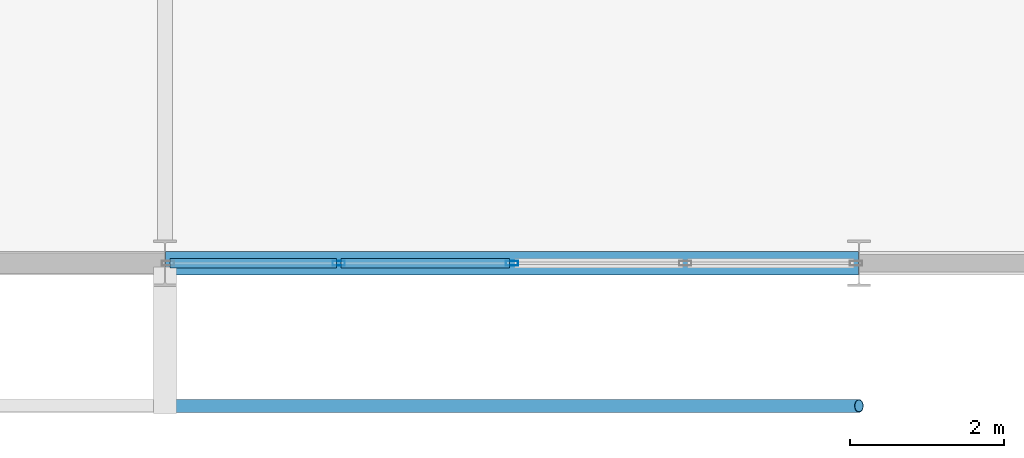
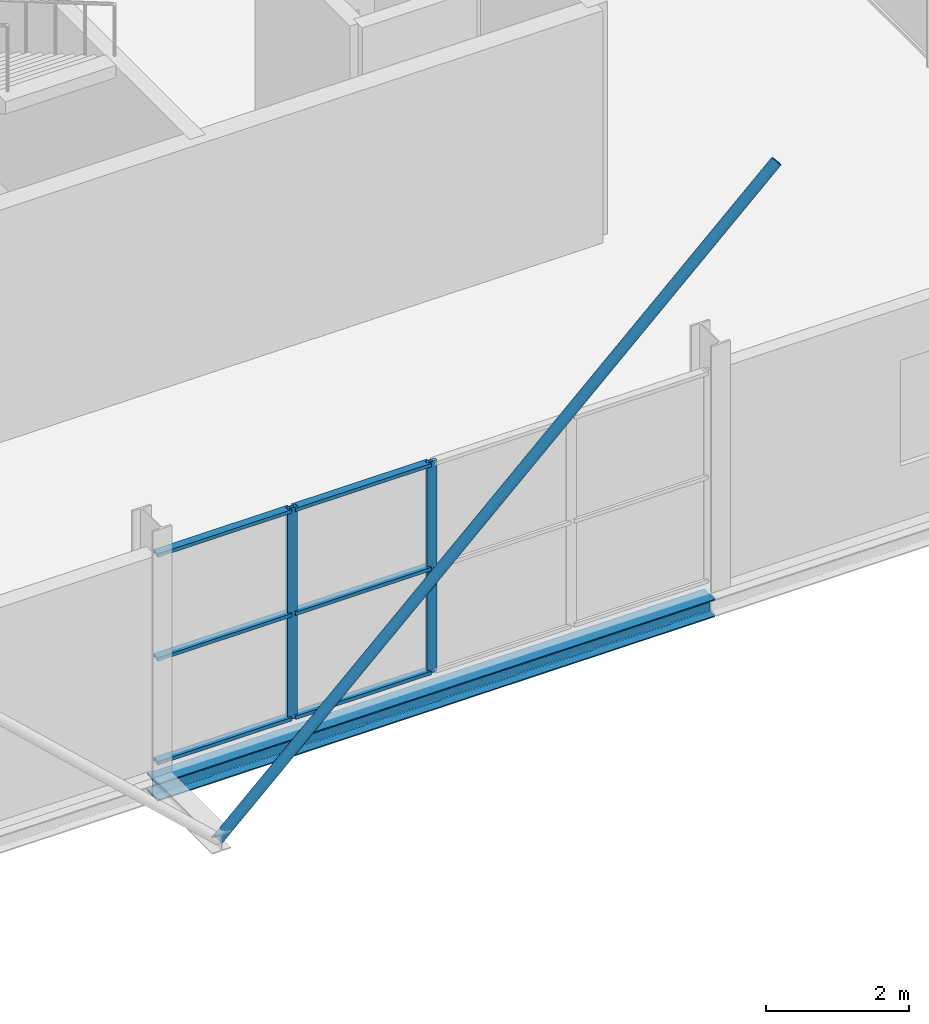
# One storey, part 30 of 59: 9 members, 1 beam, 1 element without a shape of its own.
"""IFC4 building model written with IfcOpenShell, lengths in metres."""

from ifc_helpers import new_model, si_unit, direction, frame, origin, origin_2d, place, context, subcontext, project, spatial, hollow_rectangle, hollow_circle, i_section, extrude, material, layer, layer_set, material_profile, profile_set, type_object, element, aggregate, save


model = new_model("IFC4")

# Units and contexts
model_context = context("Model", 3, precision=1e-05, world=origin(), true_north=direction((0.0, 1.0)))
body_context = subcontext(model_context, "Body", "Model", "MODEL_VIEW")
ifc_project = project(units=[si_unit("LENGTHUNIT", "METRE"), si_unit("AREAUNIT", "SQUARE_METRE"), si_unit("VOLUMEUNIT", "CUBIC_METRE"), si_unit("PLANEANGLEUNIT", "RADIAN"), si_unit("MASSUNIT", "GRAM", prefix="KILO")], contexts=[model_context])

# Site, building, storey
site_placement = place(None, origin())
site = spatial("IfcSite", under=ifc_project, at=site_placement, CompositionType="ELEMENT")
building_placement = place(site_placement, origin())
building = spatial("IfcBuilding", under=site, at=building_placement, Name="Deido Ridge Mobility Hub", CompositionType="ELEMENT")
storey_placement = place(building_placement, frame((0.0, 0.0, 21.0)))
storey = spatial("IfcBuildingStorey", under=building, at=storey_placement, Name="L05", CompositionType="ELEMENT", Elevation=21.0)

# Curtain wall, members
ifc_material_1 = material(Name="Anodised aluminium EN AW-6063 T6", Category="aluminium")
ifc_layer = layer(ifc_material_1, 0.195068359375, Name="Anodised aluminium EN AW-6063 T6")
ifc_layer_set = layer_set([ifc_layer], Name="Anodised aluminium EN AW-6063 T6")
curtain_wall_type = type_object("IfcCurtainWallType", Name="CW-UF-3", PredefinedType="USERDEFINED", material=ifc_layer_set)
curtain_wall_placement = place(storey_placement, origin())
curtain_wall = element("IfcCurtainWall", 1, at=curtain_wall_placement, inside=storey, type_object=curtain_wall_type, Name="Unitised curtain wall CW3", ObjectType="UNITISED FACADE", PredefinedType="USERDEFINED")
ifc_material_profile_1 = material_profile(ifc_material_1, hollow_rectangle(XDim=0.06005859375, YDim=0.159912109375, WallThickness=0.00390625, at=origin_2d()), Name="RHS 60x160x4")
ifc_profile_set_1 = profile_set([ifc_material_profile_1], Name="Anodised aluminium EN AW-6063 T6")
member_type_1 = type_object("IfcMemberType", Name="MEM-MUL-60X160", PredefinedType="MULLION", material=ifc_profile_set_1)
member_1_placement = place(storey_placement, frame((164.25390625, 0.0, 0.0), z_axis=(0.0, 0.0, 1.0), x_axis=(0.0, 1.0, 0.0)))
member_1 = element("IfcMember", 2, at=member_1_placement, type_object=member_type_1, Name="CW3 mullion 2", PredefinedType="MULLION", context=body_context, shape_type="SweptSolid", body=[
    extrude(hollow_rectangle(XDim=0.06005859375, YDim=0.159912109375, WallThickness=0.00390625, at=origin_2d()), origin(), (0.0, 0.0, 1.0), 3.60009765625),
])
member_2_placement = place(storey_placement, frame((166.5, 0.0, 0.0), z_axis=(0.0, 0.0, 1.0), x_axis=(0.0, 1.0, 0.0)))
member_2 = element("IfcMember", 3, at=member_2_placement, type_object=member_type_1, Name="CW3 mullion 3", PredefinedType="MULLION", context=body_context, shape_type="SweptSolid", body=[
    extrude(hollow_rectangle(XDim=0.06005859375, YDim=0.159912109375, WallThickness=0.00390625, at=origin_2d()), origin(), (0.0, 0.0, 1.0), 3.60009765625),
])

# Member
ifc_material_2 = material(Name="Steel S355J2H EN 10210-1", Category="steel")
ifc_material_profile_2 = material_profile(ifc_material_2, hollow_circle(Radius=0.084228515625, WallThickness=0.008056640625, at=origin_2d()), Name="CHS 168.3x8")
ifc_profile_set_2 = profile_set([ifc_material_profile_2], Name="Steel S355J2H EN 10210-1")
member_type_2 = type_object("IfcMemberType", Name="MEM-STR-CHS168", PredefinedType="STRUT", material=ifc_profile_set_2)
member_3_placement = place(storey_placement, frame((162.0, -1.85009765625, -0.14990234375), z_axis=(0.73105922506, 0.0, 0.682314010889), x_axis=(0.0, 1.0, 0.0)))
element("IfcMember", 4, at=member_3_placement, inside=storey, type_object=member_type_2, Name="Deconstructivist facade diagrid strut SR1", PredefinedType="STRUT", context=body_context, shape_type="SweptSolid", body=[
    extrude(hollow_circle(Radius=0.084228515625, WallThickness=0.008056640625, at=origin_2d()), origin(), (0.0, 0.0, 1.0), 12.310791015625),
])

ifc_material_profile_3 = material_profile(ifc_material_1, hollow_rectangle(XDim=0.125, YDim=0.06005859375, WallThickness=0.00390625, at=origin_2d()), Name="RHS 125x60x4")
ifc_profile_set_3 = profile_set([ifc_material_profile_3], Name="Anodised aluminium EN AW-6063 T6")
member_type_3 = type_object("IfcMemberType", Name="MEM-TRN-125X60", PredefinedType="USERDEFINED", material=ifc_profile_set_3)
member_4_placement = place(storey_placement, frame((162.067626953125, 0.0, 0.030029296875), z_axis=(1.0, 0.0, 0.0), x_axis=(0.0, 1.0, 0.0)))
member_4 = element("IfcMember", 5, at=member_4_placement, type_object=member_type_3, Name="CW3 transom 1.1", ObjectType="TRANSOM", PredefinedType="USERDEFINED", context=body_context, shape_type="SweptSolid", body=[
    extrude(hollow_rectangle(XDim=0.125, YDim=0.06005859375, WallThickness=0.00390625, at=origin_2d()), origin(), (0.0, 0.0, 1.0), 2.15625),
])

member_5_placement = place(storey_placement, frame((162.067626953125, 0.0, 1.800048828125), z_axis=(1.0, 0.0, 0.0), x_axis=(0.0, 1.0, 0.0)))
member_5 = element("IfcMember", 6, at=member_5_placement, type_object=member_type_3, Name="CW3 transom 1.2", ObjectType="TRANSOM", PredefinedType="USERDEFINED", context=body_context, shape_type="SweptSolid", body=[
    extrude(hollow_rectangle(XDim=0.125, YDim=0.06005859375, WallThickness=0.00390625, at=origin_2d()), origin(), (0.0, 0.0, 1.0), 2.15625),
])

member_6_placement = place(storey_placement, frame((162.067626953125, 0.0, 3.570068359375), z_axis=(1.0, 0.0, 0.0), x_axis=(0.0, 1.0, 0.0)))
member_6 = element("IfcMember", 7, at=member_6_placement, type_object=member_type_3, Name="CW3 transom 1.3", ObjectType="TRANSOM", PredefinedType="USERDEFINED", context=body_context, shape_type="SweptSolid", body=[
    extrude(hollow_rectangle(XDim=0.125, YDim=0.06005859375, WallThickness=0.00390625, at=origin_2d()), origin(), (0.0, 0.0, 1.0), 2.15625),
])

member_7_placement = place(storey_placement, frame((164.283935546875, 0.0, 0.030029296875), z_axis=(1.0, 0.0, 0.0), x_axis=(0.0, 1.0, 0.0)))
member_7 = element("IfcMember", 8, at=member_7_placement, type_object=member_type_3, Name="CW3 transom 2.1", ObjectType="TRANSOM", PredefinedType="USERDEFINED", context=body_context, shape_type="SweptSolid", body=[
    extrude(hollow_rectangle(XDim=0.125, YDim=0.06005859375, WallThickness=0.00390625, at=origin_2d()), origin(), (0.0, 0.0, 1.0), 2.18603515625),
])

member_8_placement = place(storey_placement, frame((164.283935546875, 0.0, 1.800048828125), z_axis=(1.0, 0.0, 0.0), x_axis=(0.0, 1.0, 0.0)))
member_8 = element("IfcMember", 9, at=member_8_placement, type_object=member_type_3, Name="CW3 transom 2.2", ObjectType="TRANSOM", PredefinedType="USERDEFINED", context=body_context, shape_type="SweptSolid", body=[
    extrude(hollow_rectangle(XDim=0.125, YDim=0.06005859375, WallThickness=0.00390625, at=origin_2d()), origin(), (0.0, 0.0, 1.0), 2.18603515625),
])

member_9_placement = place(storey_placement, frame((164.283935546875, 0.0, 3.570068359375), z_axis=(1.0, 0.0, 0.0), x_axis=(0.0, 1.0, 0.0)))
member_9 = element("IfcMember", 10, at=member_9_placement, type_object=member_type_3, Name="CW3 transom 2.3", ObjectType="TRANSOM", PredefinedType="USERDEFINED", context=body_context, shape_type="SweptSolid", body=[
    extrude(hollow_rectangle(XDim=0.125, YDim=0.06005859375, WallThickness=0.00390625, at=origin_2d()), origin(), (0.0, 0.0, 1.0), 2.18603515625),
])

aggregate(curtain_wall, [member_1, member_2, member_4, member_5, member_6, member_7, member_8, member_9])

# Beam
ifc_material_3 = material(Name="Steel S355J2 EN 10025-2", Category="steel")
ifc_material_profile_4 = material_profile(ifc_material_3, i_section(OverallWidth=0.300048828125, OverallDepth=0.300048828125, WebThickness=0.010986328125, FlangeThickness=0.01904296875, FilletRadius=0.027099609375, at=origin_2d()), Name="HEB 300")
ifc_profile_set_4 = profile_set([ifc_material_profile_4], Name="Steel S355J2 EN 10025-2")
beam_type = type_object("IfcBeamType", Name="SPD-HEB300", PredefinedType="SPANDREL", material=ifc_profile_set_4)
beam_placement = place(storey_placement, frame((162.0078125, 0.0, -0.39501953125), z_axis=(1.0, 0.0, 0.0), x_axis=(0.0, 1.0, 0.0)))
element("IfcBeam", 11, at=beam_placement, inside=storey, type_object=beam_type, Name="Floor beam SP1", PredefinedType="SPANDREL", context=body_context, shape_type="SweptSolid", body=[
    extrude(i_section(OverallWidth=0.300048828125, OverallDepth=0.300048828125, WebThickness=0.010986328125, FlangeThickness=0.01904296875, FilletRadius=0.027099609375, at=origin_2d()), origin(), (0.0, 0.0, 1.0), 8.984375),
])

save(model, "model.ifc")
